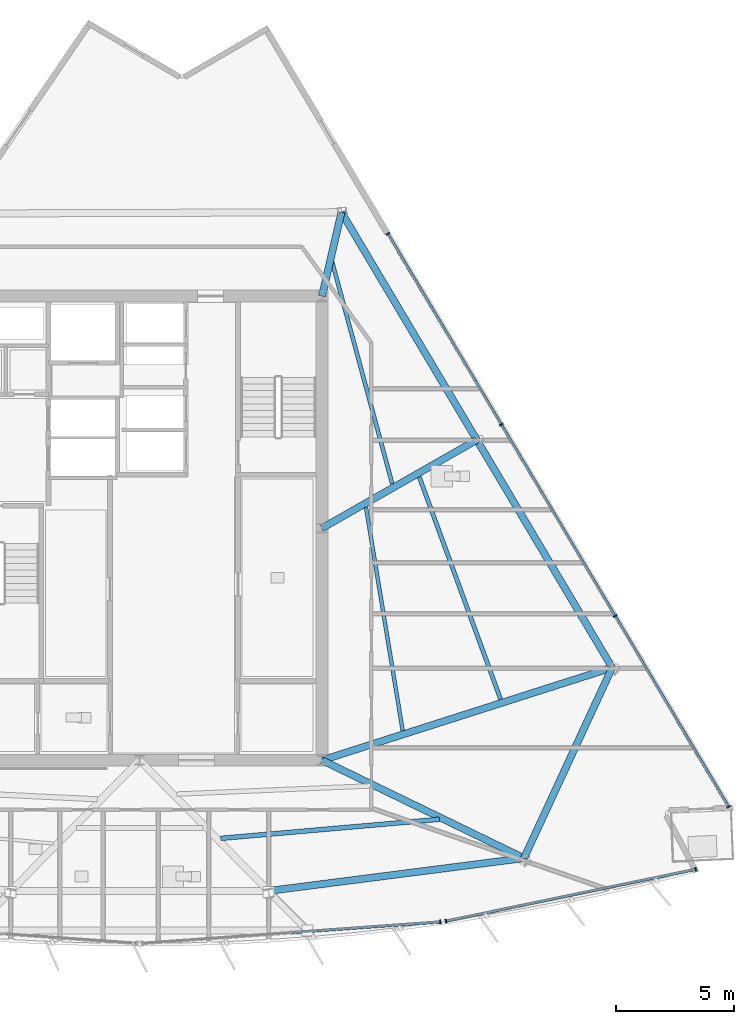
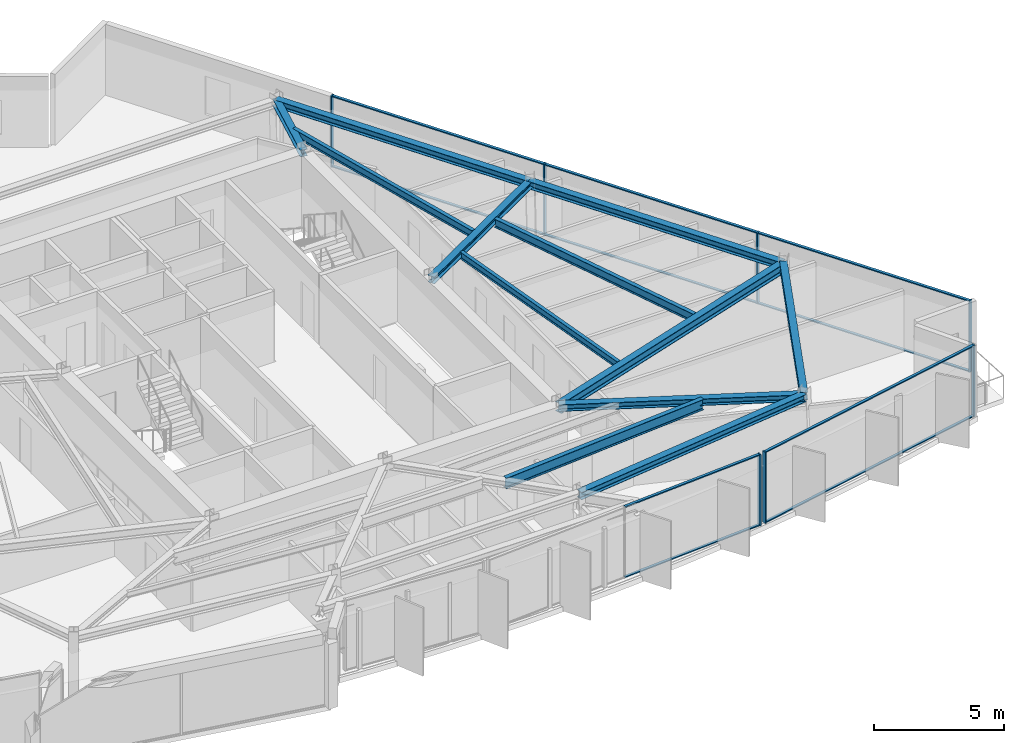
# One storey, part 5 of 14: 17 members, 12 beams, 3 elements without a shape of their own.
"""IFC4 building model written with IfcOpenShell, lengths in metres."""

from ifc_helpers import new_model, si_unit, direction, frame, origin, origin_2d, place, context, subcontext, project, spatial, rectangle, i_section, extrude, material, material_profile, profile_set, type_object, element, aggregate, save


model = new_model("IFC4")

# Units and contexts
model_context = context("Model", 3, precision=1e-05, world=origin(), true_north=direction((0.0, 1.0)))
body_context = subcontext(model_context, "Body", "Model", "MODEL_VIEW")
ifc_project = project(units=[si_unit("LENGTHUNIT", "METRE"), si_unit("AREAUNIT", "SQUARE_METRE"), si_unit("VOLUMEUNIT", "CUBIC_METRE"), si_unit("PLANEANGLEUNIT", "RADIAN"), si_unit("MASSUNIT", "GRAM", prefix="KILO")], contexts=[model_context])

# Site, building, storey
site_placement = place(None, origin())
site = spatial("IfcSite", under=ifc_project, at=site_placement, CompositionType="ELEMENT")
building_placement = place(site_placement, origin())
building = spatial("IfcBuilding", under=site, at=building_placement, Name="Savorim Split Tower", CompositionType="ELEMENT")
storey_placement = place(building_placement, frame((0.0, 0.0, 230.699951171875)))
storey = spatial("IfcBuildingStorey", under=building, at=storey_placement, Name="L61", CompositionType="ELEMENT", Elevation=230.699951171875)

# Beams
ifc_material_1 = material(Name="Steel S355", Category="steel")
ifc_material_profile_1 = material_profile(ifc_material_1, i_section(OverallWidth=0.159912109375, OverallDepth=0.330078125, WebThickness=0.007568359375, FlangeThickness=0.011474609375, FilletRadius=0.01806640625, at=origin_2d()), Name="IPE 330")
ifc_profile_set_1 = profile_set([ifc_material_profile_1], Name="Steel S355")
beam_type_1 = type_object("IfcBeamType", Name="BM-JST-IPE330", PredefinedType="JOIST", material=ifc_profile_set_1)
beam_1_placement = place(storey_placement, frame((11.104248046875, -8.146240234375, 3.18505859375), z_axis=(-0.162020915222, 0.986787324113, 0.0), x_axis=(-0.986787324113, -0.162020915222, 0.0)))
element("IfcBeam", 1, at=beam_1_placement, inside=storey, type_object=beam_type_1, Name="L61 Secondary Floor Joist JS-08", PredefinedType="JOIST", context=body_context, shape_type="SweptSolid", body=[
    extrude(i_section(OverallWidth=0.159912109375, OverallDepth=0.330078125, WebThickness=0.007568359375, FlangeThickness=0.011474609375, FilletRadius=0.01806640625, at=origin_2d()), origin(), (0.0, 0.0, 1.0), 9.557861328125),
])
ifc_material_profile_2 = material_profile(ifc_material_1, i_section(OverallWidth=0.169921875, OverallDepth=0.360107421875, WebThickness=0.008056640625, FlangeThickness=0.0126953125, FilletRadius=0.01806640625, at=origin_2d()), Name="IPE 360")
ifc_profile_set_2 = profile_set([ifc_material_profile_2], Name="Steel S355")
beam_type_2 = type_object("IfcBeamType", Name="BM-JST-IPE360", PredefinedType="JOIST", material=ifc_profile_set_2)
beam_2_placement = place(storey_placement, frame((10.664306640625, 2.268310546875, 3.170166015625), z_axis=(-0.261280749194, 0.965262850264, 0.0), x_axis=(-0.965262850264, -0.261280749194, 0.0)))
element("IfcBeam", 2, at=beam_2_placement, inside=storey, type_object=beam_type_2, Name="L61 Secondary Floor Joist JS-07", PredefinedType="JOIST", context=body_context, shape_type="SweptSolid", body=[
    extrude(i_section(OverallWidth=0.169921875, OverallDepth=0.360107421875, WebThickness=0.008056640625, FlangeThickness=0.0126953125, FilletRadius=0.01806640625, at=origin_2d()), origin(), (0.0, 0.0, 1.0), 9.742919921875),
])
ifc_material_profile_3 = material_profile(ifc_material_1, i_section(OverallWidth=0.179931640625, OverallDepth=0.39990234375, WebThickness=0.008544921875, FlangeThickness=0.013427734375, FilletRadius=0.02099609375, at=origin_2d()), Name="IPE 400")
ifc_profile_set_3 = profile_set([ifc_material_profile_3], Name="Steel S355")
beam_type_3 = type_object("IfcBeamType", Name="BM-JST-IPE400", PredefinedType="JOIST", material=ifc_profile_set_3)
beam_3_placement = place(storey_placement, frame((15.239990234375, -6.822998046875, 3.150146484375), z_axis=(-0.343635670717, 0.939103043234, 0.0), x_axis=(-0.939103043234, -0.343635670717, 0.0)))
element("IfcBeam", 3, at=beam_3_placement, inside=storey, type_object=beam_type_3, Name="L61 Secondary Floor Joist JS-06", PredefinedType="JOIST", context=body_context, shape_type="SweptSolid", body=[
    extrude(i_section(OverallWidth=0.179931640625, OverallDepth=0.39990234375, WebThickness=0.008544921875, FlangeThickness=0.013427734375, FilletRadius=0.02099609375, at=origin_2d()), origin(), (0.0, 0.0, 1.0), 9.9912109375),
])
ifc_material_profile_4 = material_profile(ifc_material_1, i_section(OverallWidth=0.199951171875, OverallDepth=0.5, WebThickness=0.01025390625, FlangeThickness=0.01611328125, FilletRadius=0.02099609375, at=origin_2d()), Name="IPE 500")
ifc_profile_set_4 = profile_set([ifc_material_profile_4], Name="Steel S355")
beam_type_4 = type_object("IfcBeamType", Name="BM-JST-IPE500", PredefinedType="JOIST", material=ifc_profile_set_4)
beam_4_placement = place(storey_placement, frame((3.42236328125, -12.697265625, 3.10009765625), z_axis=(0.99623554568, 0.086687585755, 0.0), x_axis=(-0.086687585755, 0.99623554568, 0.0)))
element("IfcBeam", 4, at=beam_4_placement, inside=storey, type_object=beam_type_4, Name="L61 Secondary Floor Joist JS-04", PredefinedType="JOIST", context=body_context, shape_type="SweptSolid", body=[
    extrude(i_section(OverallWidth=0.199951171875, OverallDepth=0.5, WebThickness=0.01025390625, FlangeThickness=0.01611328125, FilletRadius=0.02099609375, at=origin_2d()), origin(), (0.0, 0.0, 1.0), 9.2685546875),
])
ifc_material_profile_5 = material_profile(ifc_material_1, i_section(OverallWidth=0.300048828125, OverallDepth=0.320068359375, WebThickness=0.011474609375, FlangeThickness=0.0205078125, FilletRadius=0.027099609375, at=origin_2d()), Name="HEB 320")
ifc_profile_set_5 = profile_set([ifc_material_profile_5], Name="Steel S355")
beam_type_5 = type_object("IfcBeamType", Name="BM-PRI-HEB320", PredefinedType="BEAM", material=ifc_profile_set_5)
beam_5_placement = place(storey_placement, frame((16.225830078125, -13.533447265625, 3.18994140625), z_axis=(-0.899822996025, 0.436255172834, 0.0), x_axis=(-0.436255172834, -0.899822996025, 0.0)))
element("IfcBeam", 5, at=beam_5_placement, inside=storey, type_object=beam_type_5, Name="L61 Primary Floor Girder RG-04", PredefinedType="BEAM", context=body_context, shape_type="SweptSolid", body=[
    extrude(i_section(OverallWidth=0.300048828125, OverallDepth=0.320068359375, WebThickness=0.011474609375, FlangeThickness=0.0205078125, FilletRadius=0.027099609375, at=origin_2d()), origin(), (0.0, 0.0, 1.0), 9.47509765625),
])
beam_6_placement = place(storey_placement, frame((14.23486328125, 4.125732421875, 3.18994140625), z_axis=(-0.868724066741, -0.495296371746, 0.0), x_axis=(0.495296371746, -0.868724066741, 0.0)))
element("IfcBeam", 6, at=beam_6_placement, inside=storey, type_object=beam_type_5, Name="L61 Primary Floor Girder RG-06", PredefinedType="BEAM", context=body_context, shape_type="SweptSolid", body=[
    extrude(i_section(OverallWidth=0.300048828125, OverallDepth=0.320068359375, WebThickness=0.011474609375, FlangeThickness=0.0205078125, FilletRadius=0.027099609375, at=origin_2d()), origin(), (0.0, 0.0, 1.0), 7.5224609375),
])
beam_7_placement = place(storey_placement, frame((8.519287109375, 13.73779296875, 3.18994140625), z_axis=(-0.22562048537, -0.974215272197, 0.0), x_axis=(0.974215272197, -0.22562048537, 0.0)))
element("IfcBeam", 7, at=beam_7_placement, inside=storey, type_object=beam_type_5, Name="L61 Primary Floor Girder RG-07", PredefinedType="BEAM", context=body_context, shape_type="SweptSolid", body=[
    extrude(i_section(OverallWidth=0.300048828125, OverallDepth=0.320068359375, WebThickness=0.011474609375, FlangeThickness=0.0205078125, FilletRadius=0.027099609375, at=origin_2d()), origin(), (0.0, 0.0, 1.0), 3.631591796875),
])
ifc_material_profile_6 = material_profile(ifc_material_1, i_section(OverallWidth=0.300048828125, OverallDepth=0.449951171875, WebThickness=0.013916015625, FlangeThickness=0.02587890625, FilletRadius=0.027099609375, at=origin_2d()), Name="HEB 450")
ifc_profile_set_6 = profile_set([ifc_material_profile_6], Name="Steel S355")
beam_type_6 = type_object("IfcBeamType", Name="BM-PRI-HEB450", PredefinedType="BEAM", material=ifc_profile_set_6)
beam_8_placement = place(storey_placement, frame((19.9501953125, -5.486083984375, 3.125), z_axis=(-0.952565337276, -0.304334155527, 0.0), x_axis=(0.304334155527, -0.952565337276, 0.0)))
element("IfcBeam", 8, at=beam_8_placement, inside=storey, type_object=beam_type_6, Name="L61 Primary Floor Girder RG-05", PredefinedType="BEAM", context=body_context, shape_type="SweptSolid", body=[
    extrude(i_section(OverallWidth=0.300048828125, OverallDepth=0.449951171875, WebThickness=0.013916015625, FlangeThickness=0.02587890625, FilletRadius=0.027099609375, at=origin_2d()), origin(), (0.0, 0.0, 1.0), 12.8603515625),
])
ifc_material_profile_7 = material_profile(ifc_material_1, i_section(OverallWidth=0.300048828125, OverallDepth=0.35009765625, WebThickness=0.010009765625, FlangeThickness=0.017578125, FilletRadius=0.027099609375, at=origin_2d()), Name="HEA 360")
ifc_profile_set_7 = profile_set([ifc_material_profile_7], Name="Steel S355")
beam_type_7 = type_object("IfcBeamType", Name="BM-SPN-HEA360", PredefinedType="SPANDREL", material=ifc_profile_set_7)
beam_9_placement = place(storey_placement, frame((5.43798828125, -14.91845703125, 3.175048828125), z_axis=(0.991858998831, 0.127340984913, 0.0), x_axis=(-0.127340984913, 0.991858998831, 0.0)))
element("IfcBeam", 9, at=beam_9_placement, inside=storey, type_object=beam_type_7, Name="L61 Perimeter Spandrel Beam 3", PredefinedType="SPANDREL", context=body_context, shape_type="SweptSolid", body=[
    extrude(i_section(OverallWidth=0.300048828125, OverallDepth=0.35009765625, WebThickness=0.010009765625, FlangeThickness=0.017578125, FilletRadius=0.027099609375, at=origin_2d()), origin(), (0.0, 0.0, 1.0), 10.87646484375),
])
beam_10_placement = place(storey_placement, frame((16.225830078125, -13.533447265625, 3.175048828125), z_axis=(0.420006001995, 0.90752132663, 0.0), x_axis=(-0.90752132663, 0.420006001995, 0.0)))
element("IfcBeam", 10, at=beam_10_placement, inside=storey, type_object=beam_type_7, Name="L61 Perimeter Spandrel Beam 4", PredefinedType="SPANDREL", context=body_context, shape_type="SweptSolid", body=[
    extrude(i_section(OverallWidth=0.300048828125, OverallDepth=0.35009765625, WebThickness=0.010009765625, FlangeThickness=0.017578125, FilletRadius=0.027099609375, at=origin_2d()), origin(), (0.0, 0.0, 1.0), 8.867431640625),
])
beam_11_placement = place(storey_placement, frame((19.9501953125, -5.486083984375, 3.175048828125), z_axis=(-0.511088470845, 0.859528111797, 0.0), x_axis=(-0.859528111797, -0.511088470845, 0.0)))
element("IfcBeam", 11, at=beam_11_placement, inside=storey, type_object=beam_type_7, Name="L61 Perimeter Spandrel Beam 5", PredefinedType="SPANDREL", context=body_context, shape_type="SweptSolid", body=[
    extrude(i_section(OverallWidth=0.300048828125, OverallDepth=0.35009765625, WebThickness=0.010009765625, FlangeThickness=0.017578125, FilletRadius=0.027099609375, at=origin_2d()), origin(), (0.0, 0.0, 1.0), 11.1826171875),
])
beam_12_placement = place(storey_placement, frame((14.23486328125, 4.125732421875, 3.175048828125), z_axis=(-0.511095009198, 0.85952422396, 0.0), x_axis=(-0.85952422396, -0.511095009198, 0.0)))
element("IfcBeam", 12, at=beam_12_placement, inside=storey, type_object=beam_type_7, Name="L61 Perimeter Spandrel Beam 6", PredefinedType="SPANDREL", context=body_context, shape_type="SweptSolid", body=[
    extrude(i_section(OverallWidth=0.300048828125, OverallDepth=0.35009765625, WebThickness=0.010009765625, FlangeThickness=0.017578125, FilletRadius=0.027099609375, at=origin_2d()), origin(), (0.0, 0.0, 1.0), 11.18310546875),
])

# Curtain wall, member
ifc_material_2 = material(Name="Dark Ceramic-Fritted Insulated Glass", Category="glass")
curtain_wall_type = type_object("IfcCurtainWallType", Name="CW-TWR-FRIT-B", PredefinedType="NOTDEFINED", material=ifc_material_2)
curtain_wall_1_placement = place(storey_placement, origin())
curtain_wall_1 = element("IfcCurtainWall", 13, at=curtain_wall_1_placement, inside=storey, type_object=curtain_wall_type, Name="L61 Curtain Wall CW-L61-SF3A", PredefinedType="NOTDEFINED")
ifc_material_3 = material(Name="Charcoal Anodised Aluminium", Category="aluminium")
ifc_material_profile_8 = material_profile(ifc_material_3, rectangle(XDim=0.159912109375, YDim=0.06005859375, at=origin_2d()), Name="ALU-M 160x60")
ifc_profile_set_8 = profile_set([ifc_material_profile_8], Name="Charcoal Anodised Aluminium")
member_type_1 = type_object("IfcMemberType", Name="CWM-160x60", PredefinedType="MULLION", material=ifc_profile_set_8)
member_1_placement = place(storey_placement, frame((12.6923828125, -16.221923828125, 0.0), z_axis=(0.0, 0.0, 1.0), x_axis=(-0.071560189997, 0.997436283282, 0.0)))
member_1 = element("IfcMember", 14, at=member_1_placement, type_object=member_type_1, Name="CW-03 mullion 3", PredefinedType="MULLION", context=body_context, shape_type="SweptSolid", body=[
    extrude(rectangle(XDim=0.159912109375, YDim=0.06005859375, at=origin_2d()), origin(), (0.0, 0.0, 1.0), 3.35009765625),
])

# Curtain wall, members
curtain_wall_2_placement = place(storey_placement, origin())
curtain_wall_2 = element("IfcCurtainWall", 15, at=curtain_wall_2_placement, inside=storey, type_object=curtain_wall_type, Name="L61 Curtain Wall CW-L61-SF4A", PredefinedType="NOTDEFINED")
member_2_placement = place(storey_placement, frame((12.933349609375, -16.1884765625, 0.0), z_axis=(0.0, 0.0, 1.0), x_axis=(-0.203214786352, 0.979134184169, 0.0)))
member_2 = element("IfcMember", 16, at=member_2_placement, type_object=member_type_1, Name="CW-03 mullion 1", PredefinedType="MULLION", context=body_context, shape_type="SweptSolid", body=[
    extrude(rectangle(XDim=0.159912109375, YDim=0.06005859375, at=origin_2d()), origin(), (0.0, 0.0, 1.0), 3.35009765625),
])
member_3_placement = place(storey_placement, frame((23.47705078125, -14.0, 0.0), z_axis=(0.0, 0.0, 1.0), x_axis=(-0.203214786352, 0.979134184169, 0.0)))
member_3 = element("IfcMember", 17, at=member_3_placement, type_object=member_type_1, Name="CW-03 mullion 2", PredefinedType="MULLION", context=body_context, shape_type="SweptSolid", body=[
    extrude(rectangle(XDim=0.159912109375, YDim=0.06005859375, at=origin_2d()), origin(), (0.0, 0.0, 1.0), 3.35009765625),
])

curtain_wall_3_placement = place(storey_placement, origin())
curtain_wall_3 = element("IfcCurtainWall", 18, at=curtain_wall_3_placement, inside=storey, type_object=curtain_wall_type, Name="L61 Curtain Wall CW-L61-EAST", PredefinedType="NOTDEFINED")
member_4_placement = place(storey_placement, frame((24.8623046875, -11.363037109375, 0.0), z_axis=(0.0, 0.0, 1.0), x_axis=(-0.859523513249, -0.51109620442, 0.0)))
member_4 = element("IfcMember", 19, at=member_4_placement, type_object=member_type_1, Name="CW-03 mullion 1", PredefinedType="MULLION", context=body_context, shape_type="SweptSolid", body=[
    extrude(rectangle(XDim=0.159912109375, YDim=0.06005859375, at=origin_2d()), origin(), (0.0, 0.0, 1.0), 3.35009765625),
])
member_5_placement = place(storey_placement, frame((20.072021484375, -3.30712890625, 0.0), z_axis=(0.0, 0.0, 1.0), x_axis=(-0.859523513249, -0.51109620442, 0.0)))
member_5 = element("IfcMember", 20, at=member_5_placement, type_object=member_type_1, Name="CW-03 mullion 2", PredefinedType="MULLION", context=body_context, shape_type="SweptSolid", body=[
    extrude(rectangle(XDim=0.159912109375, YDim=0.06005859375, at=origin_2d()), origin(), (0.0, 0.0, 1.0), 3.35009765625),
])
member_6_placement = place(storey_placement, frame((15.266357421875, 4.7744140625, 0.0), z_axis=(0.0, 0.0, 1.0), x_axis=(-0.859523513249, -0.51109620442, 0.0)))
member_6 = element("IfcMember", 21, at=member_6_placement, type_object=member_type_1, Name="CW-03 mullion 3", PredefinedType="MULLION", context=body_context, shape_type="SweptSolid", body=[
    extrude(rectangle(XDim=0.159912109375, YDim=0.06005859375, at=origin_2d()), origin(), (0.0, 0.0, 1.0), 3.35009765625),
])
member_7_placement = place(storey_placement, frame((10.47607421875, 12.830322265625, 0.0), z_axis=(0.0, 0.0, 1.0), x_axis=(-0.859523513249, -0.51109620442, 0.0)))
member_7 = element("IfcMember", 22, at=member_7_placement, type_object=member_type_1, Name="CW-03 mullion 4", PredefinedType="MULLION", context=body_context, shape_type="SweptSolid", body=[
    extrude(rectangle(XDim=0.159912109375, YDim=0.06005859375, at=origin_2d()), origin(), (0.0, 0.0, 1.0), 3.35009765625),
])

# Member
ifc_material_profile_9 = material_profile(ifc_material_3, rectangle(XDim=0.1201171875, YDim=0.050048828125, at=origin_2d()), Name="ALU-T 120x50")
ifc_profile_set_9 = profile_set([ifc_material_profile_9], Name="Charcoal Anodised Aluminium")
member_type_2 = type_object("IfcMemberType", Name="CWT-120x50", PredefinedType="USERDEFINED", material=ifc_profile_set_9)
member_8_placement = place(storey_placement, frame((6.4365234375, -16.670654296875, 0.025146484375), z_axis=(0.99743780974, 0.071538910396, 0.0), x_axis=(-0.071538910396, 0.99743780974, 0.0)))
member_8 = element("IfcMember", 23, at=member_8_placement, type_object=member_type_2, Name="CW-03 transom 2.1", ObjectType="TRANSOM", PredefinedType="USERDEFINED", context=body_context, shape_type="SweptSolid", body=[
    extrude(rectangle(XDim=0.1201171875, YDim=0.050048828125, at=origin_2d()), origin(), (0.0, 0.0, 1.0), 6.241943359375),
])

member_9_placement = place(storey_placement, frame((6.4365234375, -16.670654296875, 3.324951171875), z_axis=(0.99743780974, 0.071538910396, 0.0), x_axis=(-0.071538910396, 0.99743780974, 0.0)))
member_9 = element("IfcMember", 24, at=member_9_placement, type_object=member_type_2, Name="CW-03 transom 2.2", ObjectType="TRANSOM", PredefinedType="USERDEFINED", context=body_context, shape_type="SweptSolid", body=[
    extrude(rectangle(XDim=0.1201171875, YDim=0.050048828125, at=origin_2d()), origin(), (0.0, 0.0, 1.0), 6.241943359375),
])

aggregate(curtain_wall_1, [member_1, member_8, member_9])

member_10_placement = place(storey_placement, frame((12.962646484375, -16.182373046875, 0.025146484375), z_axis=(0.979131697612, 0.203226766771, 0.0), x_axis=(-0.203226766771, 0.979131697612, 0.0)))
member_10 = element("IfcMember", 25, at=member_10_placement, type_object=member_type_2, Name="CW-03 transom 1.1", ObjectType="TRANSOM", PredefinedType="USERDEFINED", context=body_context, shape_type="SweptSolid", body=[
    extrude(rectangle(XDim=0.1201171875, YDim=0.050048828125, at=origin_2d()), origin(), (0.0, 0.0, 1.0), 10.70849609375),
])

member_11_placement = place(storey_placement, frame((12.962646484375, -16.182373046875, 3.324951171875), z_axis=(0.979131697612, 0.203226766771, 0.0), x_axis=(-0.203226766771, 0.979131697612, 0.0)))
member_11 = element("IfcMember", 26, at=member_11_placement, type_object=member_type_2, Name="CW-03 transom 1.2", ObjectType="TRANSOM", PredefinedType="USERDEFINED", context=body_context, shape_type="SweptSolid", body=[
    extrude(rectangle(XDim=0.1201171875, YDim=0.050048828125, at=origin_2d()), origin(), (0.0, 0.0, 1.0), 10.70849609375),
])

aggregate(curtain_wall_2, [member_2, member_3, member_10, member_11])

member_12_placement = place(storey_placement, frame((24.846923828125, -11.33740234375, 0.025146484375), z_axis=(-0.511087432816, 0.859528729024, 0.0), x_axis=(-0.859528729024, -0.511087432816, 0.0)))
member_12 = element("IfcMember", 27, at=member_12_placement, type_object=member_type_2, Name="CW-03 transom 1.1", ObjectType="TRANSOM", PredefinedType="USERDEFINED", context=body_context, shape_type="SweptSolid", body=[
    extrude(rectangle(XDim=0.1201171875, YDim=0.050048828125, at=origin_2d()), origin(), (0.0, 0.0, 1.0), 9.3125),
])

member_13_placement = place(storey_placement, frame((24.846923828125, -11.33740234375, 3.324951171875), z_axis=(-0.511087432816, 0.859528729024, 0.0), x_axis=(-0.859528729024, -0.511087432816, 0.0)))
member_13 = element("IfcMember", 28, at=member_13_placement, type_object=member_type_2, Name="CW-03 transom 1.2", ObjectType="TRANSOM", PredefinedType="USERDEFINED", context=body_context, shape_type="SweptSolid", body=[
    extrude(rectangle(XDim=0.1201171875, YDim=0.050048828125, at=origin_2d()), origin(), (0.0, 0.0, 1.0), 9.3125),
])

member_14_placement = place(storey_placement, frame((20.056640625, -3.281494140625, 0.025146484375), z_axis=(-0.511086872234, 0.859529062354, 0.0), x_axis=(-0.859529062354, -0.511086872234, 0.0)))
member_14 = element("IfcMember", 29, at=member_14_placement, type_object=member_type_2, Name="CW-03 transom 2.1", ObjectType="TRANSOM", PredefinedType="USERDEFINED", context=body_context, shape_type="SweptSolid", body=[
    extrude(rectangle(XDim=0.1201171875, YDim=0.050048828125, at=origin_2d()), origin(), (0.0, 0.0, 1.0), 9.342529296875),
])

member_15_placement = place(storey_placement, frame((20.056640625, -3.281494140625, 3.324951171875), z_axis=(-0.511086872234, 0.859529062354, 0.0), x_axis=(-0.859529062354, -0.511086872234, 0.0)))
member_15 = element("IfcMember", 30, at=member_15_placement, type_object=member_type_2, Name="CW-03 transom 2.2", ObjectType="TRANSOM", PredefinedType="USERDEFINED", context=body_context, shape_type="SweptSolid", body=[
    extrude(rectangle(XDim=0.1201171875, YDim=0.050048828125, at=origin_2d()), origin(), (0.0, 0.0, 1.0), 9.342529296875),
])

member_16_placement = place(storey_placement, frame((15.2509765625, 4.80029296875, 0.025146484375), z_axis=(-0.511087432816, 0.859528729024, 0.0), x_axis=(-0.859528729024, -0.511087432816, 0.0)))
member_16 = element("IfcMember", 31, at=member_16_placement, type_object=member_type_2, Name="CW-03 transom 3.1", ObjectType="TRANSOM", PredefinedType="USERDEFINED", context=body_context, shape_type="SweptSolid", body=[
    extrude(rectangle(XDim=0.1201171875, YDim=0.050048828125, at=origin_2d()), origin(), (0.0, 0.0, 1.0), 9.3125),
])

member_17_placement = place(storey_placement, frame((15.2509765625, 4.80029296875, 3.324951171875), z_axis=(-0.511087432816, 0.859528729024, 0.0), x_axis=(-0.859528729024, -0.511087432816, 0.0)))
member_17 = element("IfcMember", 32, at=member_17_placement, type_object=member_type_2, Name="CW-03 transom 3.2", ObjectType="TRANSOM", PredefinedType="USERDEFINED", context=body_context, shape_type="SweptSolid", body=[
    extrude(rectangle(XDim=0.1201171875, YDim=0.050048828125, at=origin_2d()), origin(), (0.0, 0.0, 1.0), 9.3125),
])

aggregate(curtain_wall_3, [member_4, member_5, member_6, member_7, member_12, member_13, member_14, member_15, member_16, member_17])

save(model, "model.ifc")
